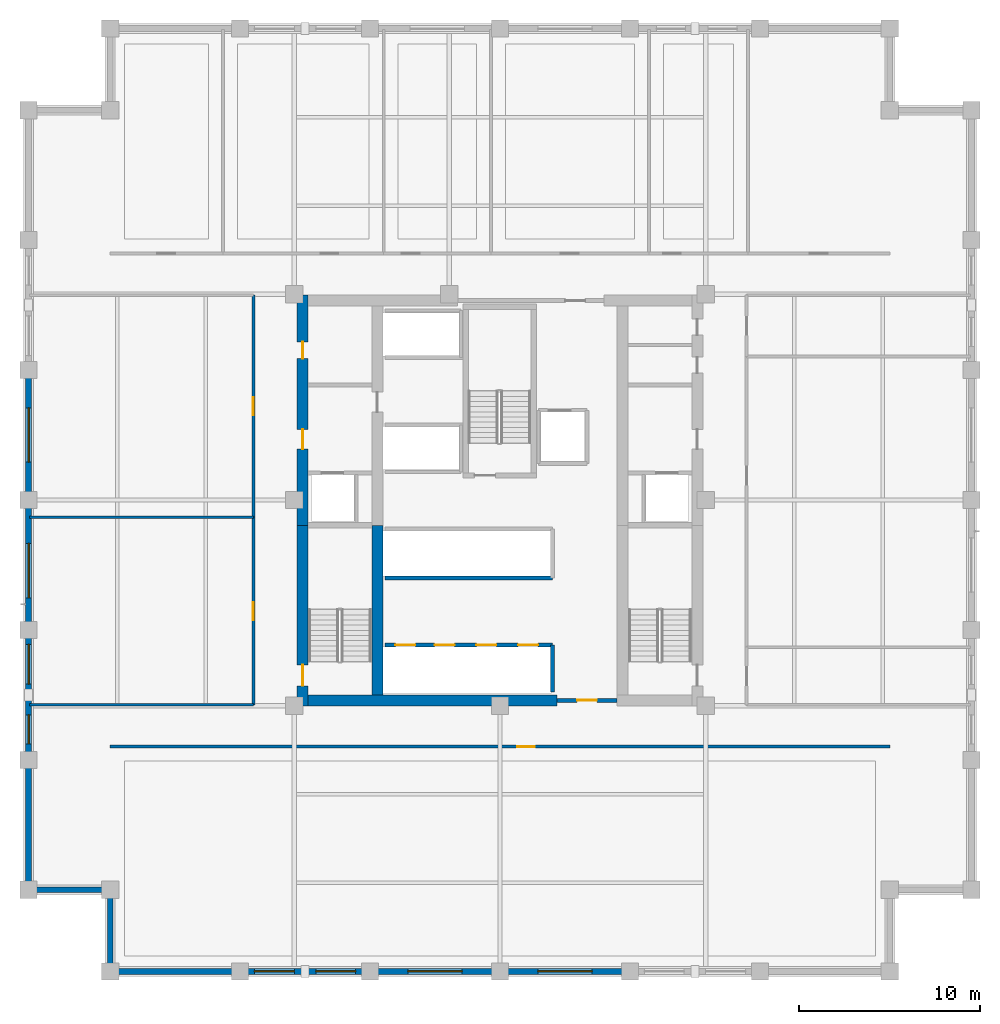
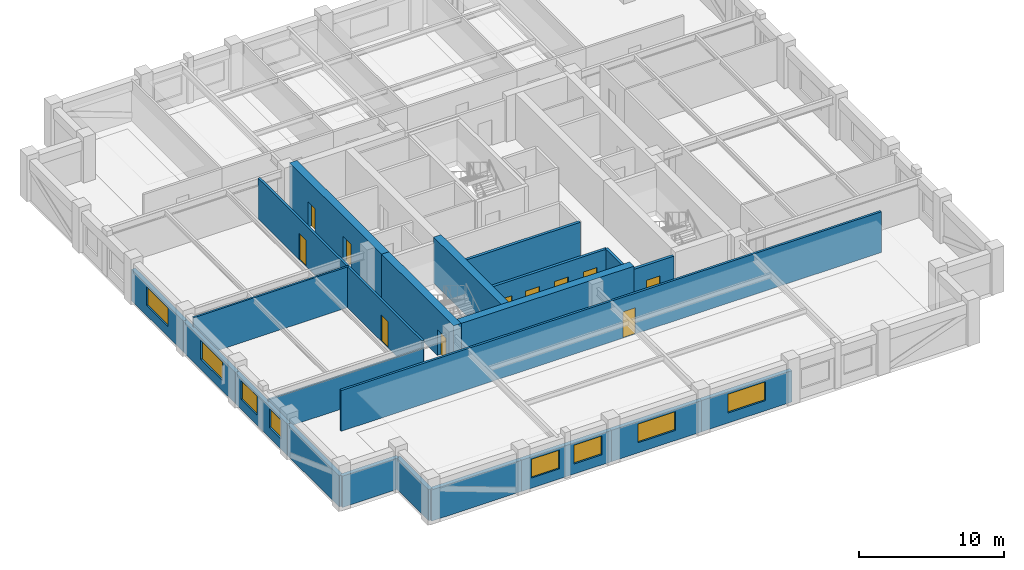
# One storey, part 5 of 12: 23 walls, 11 doors, 8 windows, 19 openings.
"""IFC4 building model written with IfcOpenShell, lengths in metres."""

from ifc_helpers import new_model, si_unit, direction, frame, frame_2d, origin, place, context, subcontext, project, spatial, rectangle, extrude, material, layer, layer_set, type_object, element, fill, save


model = new_model("IFC4")

# Units and contexts
model_context = context("Model", 3, precision=1e-05, world=origin(), true_north=direction((0.0, 1.0)))
body_context = subcontext(model_context, "Body", "Model", "MODEL_VIEW")
ifc_project = project(units=[si_unit("LENGTHUNIT", "METRE"), si_unit("AREAUNIT", "SQUARE_METRE"), si_unit("VOLUMEUNIT", "CUBIC_METRE"), si_unit("PLANEANGLEUNIT", "RADIAN"), si_unit("MASSUNIT", "GRAM", prefix="KILO")], contexts=[model_context])

# Site, building, storey
site_placement = place(None, origin())
site = spatial("IfcSite", under=ifc_project, at=site_placement, CompositionType="ELEMENT")
building_placement = place(site_placement, origin())
building = spatial("IfcBuilding", under=site, at=building_placement, Name="Nhamokura Convention Tower", CompositionType="ELEMENT")
storey_placement = place(building_placement, frame((0.0, 0.0, 110.60009765625)))
storey = spatial("IfcBuildingStorey", under=building, at=storey_placement, Name="L26", CompositionType="ELEMENT", Elevation=110.60009765625)

# Wall
ifc_material_1 = material(Name="Bronze-pigmented precast concrete C45/55", Category="concrete")
ifc_layer_1 = layer(ifc_material_1, 0.320068359375)
ifc_layer_set_1 = layer_set([ifc_layer_1], Name="BronzePrecastSpandrel_320")
wall_type_1 = type_object("IfcWallType", Name="BronzePrecastSpandrel_320", PredefinedType="USERDEFINED", material=ifc_layer_set_1)
wall_1_placement = place(storey_placement, frame((17.666748046875, 6.0, 0.0), z_axis=(0.0, 0.0, 1.0), x_axis=(-1.0, 0.0, 0.0)))
element("IfcWall", 1, at=wall_1_placement, inside=storey, type_object=wall_type_1, Name="L26 Braced-Bay Precast Wall SOUTH 0", ObjectType="SPANDREL_WALL", PredefinedType="USERDEFINED", context=body_context, shape_type="SweptSolid", body=[
    extrude(rectangle(XDim=7.166748046875, YDim=0.320068359375, at=frame_2d((3.58349609375, 0.0))), origin(), (0.0, 0.0, 1.0), 2.6298828125),
])

# Wall, openings, windows
wall_2_placement = place(storey_placement, frame((24.833251953125, 6.0, 0.0), z_axis=(0.0, 0.0, 1.0), x_axis=(-1.0, 0.0, 0.0)))
wall_2 = element("IfcWall", 2, at=wall_2_placement, inside=storey, type_object=wall_type_1, Name="L26 Masonry-Frame Wall SOUTH 1", ObjectType="SPANDREL_WALL", PredefinedType="USERDEFINED", context=body_context, shape_type="SweptSolid", body=[
    extrude(rectangle(XDim=7.16650390625, YDim=0.320068359375, at=frame_2d((3.583251953125, 0.0))), origin(), (0.0, 0.0, 1.0), 2.6298828125),
])
opening_1_placement = place(wall_2_placement, frame((0.791748046875, 0.0, 0.85009765625)))
opening_1 = element("IfcOpeningElement", 3, at=opening_1_placement, cuts=wall_2, Name="Opening W-06", PredefinedType="OPENING", context=body_context, shape_type="SweptSolid", body=[
    extrude(rectangle(XDim=2.199951171875, YDim=1.580078125, at=frame_2d((1.10009765625, 0.7900390625))), frame((0.0, 0.169921875, 0.0), z_axis=(0.0, -1.0, 0.0), x_axis=(1.0, 0.0, 0.0)), (0.0, 0.0, 1.0), 0.340087890625),
])
opening_2_placement = place(wall_2_placement, frame((4.175048828125, 0.0, 0.85009765625)))
opening_2 = element("IfcOpeningElement", 4, at=opening_2_placement, cuts=wall_2, Name="Opening W-06", PredefinedType="OPENING", context=body_context, shape_type="SweptSolid", body=[
    extrude(rectangle(XDim=2.199951171875, YDim=1.580078125, at=frame_2d((1.10009765625, 0.7900390625))), frame((0.0, 0.169921875, 0.0), z_axis=(0.0, -1.0, 0.0), x_axis=(1.0, 0.0, 0.0)), (0.0, 0.0, 1.0), 0.340087890625),
])
ifc_material_2 = material(Name="Solar-control bronze low-E double glass", Category="glass")
window_type_1 = type_object("IfcWindowType", Name="OfficeModuleWindow_Z2_2200", PartitioningType="SINGLE_PANEL", PredefinedType="WINDOW", material=ifc_material_2)
window_1_placement = place(opening_1_placement, origin())
window_1 = element("IfcWindow", 5, at=window_1_placement, inside=storey, type_object=window_type_1, Name="L26 Facade Window SOUTH 1-1", OverallHeight=1.580078125, OverallWidth=2.199951171875, PartitioningType="SINGLE_PANEL", PredefinedType="WINDOW", context=body_context, shape_type="SweptSolid", body=[
    extrude(rectangle(XDim=2.199951171875, YDim=1.580078125, at=frame_2d((1.10009765625, 0.7900390625))), frame((0.0, 0.030029296875, 0.0), z_axis=(0.0, -1.0, 0.0), x_axis=(1.0, 0.0, 0.0)), (0.0, 0.0, 1.0), 0.06005859375),
])
fill(opening_1, window_1)
window_2_placement = place(opening_2_placement, origin())
window_2 = element("IfcWindow", 6, at=window_2_placement, inside=storey, type_object=window_type_1, Name="L26 Facade Window SOUTH 1-2", OverallHeight=1.580078125, OverallWidth=2.199951171875, PartitioningType="SINGLE_PANEL", PredefinedType="WINDOW", context=body_context, shape_type="SweptSolid", body=[
    extrude(rectangle(XDim=2.199951171875, YDim=1.580078125, at=frame_2d((1.10009765625, 0.7900390625))), frame((0.0, 0.030029296875, 0.0), z_axis=(0.0, -1.0, 0.0), x_axis=(1.0, 0.0, 0.0)), (0.0, 0.0, 1.0), 0.06005859375),
])
fill(opening_2, window_2)

# Wall, opening, window
wall_3_placement = place(storey_placement, frame((32.0, 6.0, 0.0), z_axis=(0.0, 0.0, 1.0), x_axis=(-1.0, 0.0, 0.0)))
wall_3 = element("IfcWall", 7, at=wall_3_placement, inside=storey, type_object=wall_type_1, Name="L26 Masonry-Frame Wall SOUTH 2", ObjectType="SPANDREL_WALL", PredefinedType="USERDEFINED", context=body_context, shape_type="SweptSolid", body=[
    extrude(rectangle(XDim=7.166748046875, YDim=0.320068359375, at=frame_2d((3.58349609375, 0.0))), origin(), (0.0, 0.0, 1.0), 2.6298828125),
])
opening_3_placement = place(wall_3_placement, frame((2.083251953125, 0.0, 0.85009765625)))
opening_3 = element("IfcOpeningElement", 8, at=opening_3_placement, cuts=wall_3, Name="Opening W-05", PredefinedType="OPENING", context=body_context, shape_type="SweptSolid", body=[
    extrude(rectangle(XDim=3.0, YDim=1.580078125, at=frame_2d((1.5, 0.7900390625))), frame((0.0, 0.169921875, 0.0), z_axis=(0.0, -1.0, 0.0), x_axis=(1.0, 0.0, 0.0)), (0.0, 0.0, 1.0), 0.340087890625),
])
ifc_material_3 = material(Name="Solar-control bronze low-E double glass", Category="glass")
window_type_2 = type_object("IfcWindowType", Name="OfficeModuleWindow_Z2_3000", PartitioningType="DOUBLE_PANEL_VERTICAL", PredefinedType="WINDOW", material=ifc_material_3)
window_3_placement = place(opening_3_placement, origin())
window_3 = element("IfcWindow", 9, at=window_3_placement, inside=storey, type_object=window_type_2, Name="L26 Facade Window SOUTH 2", OverallHeight=1.580078125, OverallWidth=3.0, PartitioningType="SINGLE_PANEL", PredefinedType="WINDOW", context=body_context, shape_type="SweptSolid", body=[
    extrude(rectangle(XDim=3.0, YDim=1.580078125, at=frame_2d((1.5, 0.7900390625))), frame((0.0, 0.030029296875, 0.0), z_axis=(0.0, -1.0, 0.0), x_axis=(1.0, 0.0, 0.0)), (0.0, 0.0, 1.0), 0.06005859375),
])
fill(opening_3, window_3)

wall_4_placement = place(storey_placement, frame((39.166748046875, 6.0, 0.0), z_axis=(0.0, 0.0, 1.0), x_axis=(-1.0, 0.0, 0.0)))
wall_4 = element("IfcWall", 10, at=wall_4_placement, inside=storey, type_object=wall_type_1, Name="L26 Masonry-Frame Wall SOUTH 3", ObjectType="SPANDREL_WALL", PredefinedType="USERDEFINED", context=body_context, shape_type="SweptSolid", body=[
    extrude(rectangle(XDim=7.166748046875, YDim=0.320068359375, at=frame_2d((3.58349609375, 0.0))), origin(), (0.0, 0.0, 1.0), 2.6298828125),
])
opening_4_placement = place(wall_4_placement, frame((2.083251953125, 0.0, 0.85009765625)))
opening_4 = element("IfcOpeningElement", 11, at=opening_4_placement, cuts=wall_4, Name="Opening W-05", PredefinedType="OPENING", context=body_context, shape_type="SweptSolid", body=[
    extrude(rectangle(XDim=3.0, YDim=1.580078125, at=frame_2d((1.5, 0.7900390625))), frame((0.0, 0.169921875, 0.0), z_axis=(0.0, -1.0, 0.0), x_axis=(1.0, 0.0, 0.0)), (0.0, 0.0, 1.0), 0.340087890625),
])
window_4_placement = place(opening_4_placement, origin())
window_4 = element("IfcWindow", 12, at=window_4_placement, inside=storey, type_object=window_type_2, Name="L26 Facade Window SOUTH 3", OverallHeight=1.580078125, OverallWidth=3.0, PartitioningType="SINGLE_PANEL", PredefinedType="WINDOW", context=body_context, shape_type="SweptSolid", body=[
    extrude(rectangle(XDim=3.0, YDim=1.580078125, at=frame_2d((1.5, 0.7900390625))), frame((0.0, 0.030029296875, 0.0), z_axis=(0.0, -1.0, 0.0), x_axis=(1.0, 0.0, 0.0)), (0.0, 0.0, 1.0), 0.06005859375),
])
fill(opening_4, window_4)

# Wall
wall_5_placement = place(storey_placement, frame((6.0, 10.5, 0.0), z_axis=(0.0, 0.0, 1.0), x_axis=(0.0, 1.0, 0.0)))
element("IfcWall", 13, at=wall_5_placement, inside=storey, type_object=wall_type_1, Name="L26 Braced-Bay Precast Wall WEST 0", ObjectType="SPANDREL_WALL", PredefinedType="USERDEFINED", context=body_context, shape_type="SweptSolid", body=[
    extrude(rectangle(XDim=7.166748046875, YDim=0.320068359375, at=frame_2d((3.58349609375, 0.0))), origin(), (0.0, 0.0, 1.0), 2.6298828125),
])

# Wall, openings, windows
wall_6_placement = place(storey_placement, frame((6.0, 17.666748046875, 0.0), z_axis=(0.0, 0.0, 1.0), x_axis=(0.0, 1.0, 0.0)))
wall_6 = element("IfcWall", 14, at=wall_6_placement, inside=storey, type_object=wall_type_1, Name="L26 Masonry-Frame Wall WEST 1", ObjectType="SPANDREL_WALL", PredefinedType="USERDEFINED", context=body_context, shape_type="SweptSolid", body=[
    extrude(rectangle(XDim=7.16650390625, YDim=0.320068359375, at=frame_2d((3.583251953125, 0.0))), origin(), (0.0, 0.0, 1.0), 2.6298828125),
])
opening_5_placement = place(wall_6_placement, frame((0.879150390625, 0.0, 0.85009765625)))
opening_5 = element("IfcOpeningElement", 15, at=opening_5_placement, cuts=wall_6, Name="Opening W-11", PredefinedType="OPENING", context=body_context, shape_type="SweptSolid", body=[
    extrude(rectangle(XDim=1.60009765625, YDim=1.580078125, at=frame_2d((0.800048828125, 0.7900390625))), frame((0.0, 0.169921875, 0.0), z_axis=(0.0, -1.0, 0.0), x_axis=(1.0, 0.0, 0.0)), (0.0, 0.0, 1.0), 0.340087890625),
])
opening_6_placement = place(wall_6_placement, frame((4.175048828125, 0.0, 0.85009765625)))
opening_6 = element("IfcOpeningElement", 16, at=opening_6_placement, cuts=wall_6, Name="Opening W-06", PredefinedType="OPENING", context=body_context, shape_type="SweptSolid", body=[
    extrude(rectangle(XDim=2.199951171875, YDim=1.580078125, at=frame_2d((1.10009765625, 0.7900390625))), frame((0.0, 0.169921875, 0.0), z_axis=(0.0, -1.0, 0.0), x_axis=(1.0, 0.0, 0.0)), (0.0, 0.0, 1.0), 0.340087890625),
])
ifc_material_4 = material(Name="Solar-control bronze low-E double glass", Category="glass")
window_type_3 = type_object("IfcWindowType", Name="NotchCornerWindow_1600", PartitioningType="SINGLE_PANEL", PredefinedType="WINDOW", material=ifc_material_4)
window_5_placement = place(opening_5_placement, origin())
window_5 = element("IfcWindow", 17, at=window_5_placement, inside=storey, type_object=window_type_3, Name="L26 Facade Window WEST 1-1", OverallHeight=1.580078125, OverallWidth=1.60009765625, PartitioningType="SINGLE_PANEL", PredefinedType="WINDOW", context=body_context, shape_type="SweptSolid", body=[
    extrude(rectangle(XDim=1.60009765625, YDim=1.580078125, at=frame_2d((0.800048828125, 0.7900390625))), frame((0.0, 0.030029296875, 0.0), z_axis=(0.0, -1.0, 0.0), x_axis=(1.0, 0.0, 0.0)), (0.0, 0.0, 1.0), 0.06005859375),
])
fill(opening_5, window_5)
window_6_placement = place(opening_6_placement, origin())
window_6 = element("IfcWindow", 18, at=window_6_placement, inside=storey, type_object=window_type_1, Name="L26 Facade Window WEST 1-2", OverallHeight=1.580078125, OverallWidth=2.199951171875, PartitioningType="SINGLE_PANEL", PredefinedType="WINDOW", context=body_context, shape_type="SweptSolid", body=[
    extrude(rectangle(XDim=2.199951171875, YDim=1.580078125, at=frame_2d((1.10009765625, 0.7900390625))), frame((0.0, 0.030029296875, 0.0), z_axis=(0.0, -1.0, 0.0), x_axis=(1.0, 0.0, 0.0)), (0.0, 0.0, 1.0), 0.06005859375),
])
fill(opening_6, window_6)

# Wall, opening, window
wall_7_placement = place(storey_placement, frame((6.0, 24.833251953125, 0.0), z_axis=(0.0, 0.0, 1.0), x_axis=(0.0, 1.0, 0.0)))
wall_7 = element("IfcWall", 19, at=wall_7_placement, inside=storey, type_object=wall_type_1, Name="L26 Masonry-Frame Wall WEST 2", ObjectType="SPANDREL_WALL", PredefinedType="USERDEFINED", context=body_context, shape_type="SweptSolid", body=[
    extrude(rectangle(XDim=7.166748046875, YDim=0.320068359375, at=frame_2d((3.58349609375, 0.0))), origin(), (0.0, 0.0, 1.0), 2.6298828125),
])
opening_7_placement = place(wall_7_placement, frame((1.770751953125, 0.0, 0.85009765625)))
opening_7 = element("IfcOpeningElement", 20, at=opening_7_placement, cuts=wall_7, Name="Opening W-05", PredefinedType="OPENING", context=body_context, shape_type="SweptSolid", body=[
    extrude(rectangle(XDim=3.0, YDim=1.580078125, at=frame_2d((1.5, 0.7900390625))), frame((0.0, 0.169921875, 0.0), z_axis=(0.0, -1.0, 0.0), x_axis=(1.0, 0.0, 0.0)), (0.0, 0.0, 1.0), 0.340087890625),
])
window_7_placement = place(opening_7_placement, origin())
window_7 = element("IfcWindow", 21, at=window_7_placement, inside=storey, type_object=window_type_2, Name="L26 Facade Window WEST 2", OverallHeight=1.580078125, OverallWidth=3.0, PartitioningType="SINGLE_PANEL", PredefinedType="WINDOW", context=body_context, shape_type="SweptSolid", body=[
    extrude(rectangle(XDim=3.0, YDim=1.580078125, at=frame_2d((1.5, 0.7900390625))), frame((0.0, 0.030029296875, 0.0), z_axis=(0.0, -1.0, 0.0), x_axis=(1.0, 0.0, 0.0)), (0.0, 0.0, 1.0), 0.06005859375),
])
fill(opening_7, window_7)

wall_8_placement = place(storey_placement, frame((6.0, 32.0, 0.0), z_axis=(0.0, 0.0, 1.0), x_axis=(0.0, 1.0, 0.0)))
wall_8 = element("IfcWall", 22, at=wall_8_placement, inside=storey, type_object=wall_type_1, Name="L26 Masonry-Frame Wall WEST 3", ObjectType="SPANDREL_WALL", PredefinedType="USERDEFINED", context=body_context, shape_type="SweptSolid", body=[
    extrude(rectangle(XDim=7.166748046875, YDim=0.320068359375, at=frame_2d((3.58349609375, 0.0))), origin(), (0.0, 0.0, 1.0), 2.6298828125),
])
opening_8_placement = place(wall_8_placement, frame((2.083251953125, 0.0, 0.85009765625)))
opening_8 = element("IfcOpeningElement", 23, at=opening_8_placement, cuts=wall_8, Name="Opening W-05", PredefinedType="OPENING", context=body_context, shape_type="SweptSolid", body=[
    extrude(rectangle(XDim=3.0, YDim=1.580078125, at=frame_2d((1.5, 0.7900390625))), frame((0.0, 0.169921875, 0.0), z_axis=(0.0, -1.0, 0.0), x_axis=(1.0, 0.0, 0.0)), (0.0, 0.0, 1.0), 0.340087890625),
])
window_8_placement = place(opening_8_placement, origin())
window_8 = element("IfcWindow", 24, at=window_8_placement, inside=storey, type_object=window_type_2, Name="L26 Facade Window WEST 3", OverallHeight=1.580078125, OverallWidth=3.0, PartitioningType="SINGLE_PANEL", PredefinedType="WINDOW", context=body_context, shape_type="SweptSolid", body=[
    extrude(rectangle(XDim=3.0, YDim=1.580078125, at=frame_2d((1.5, 0.7900390625))), frame((0.0, 0.030029296875, 0.0), z_axis=(0.0, -1.0, 0.0), x_axis=(1.0, 0.0, 0.0)), (0.0, 0.0, 1.0), 0.06005859375),
])
fill(opening_8, window_8)

# Walls
for number, where, z_axis, x_axis, name in (
    (25, (10.5, 6.0, 0.0), (0.0, 0.0, 1.0), (0.0, 1.0, 0.0), "L26 Notched Corner Wall SW1"),
    (26, (10.5, 10.5, 0.0), (0.0, 0.0, 1.0), (-1.0, 0.0, 0.0), "L26 Notched Corner Wall SW2"),
):
    element("IfcWall", number, at=place(storey_placement, frame(where, z_axis=z_axis, x_axis=x_axis)), inside=storey, type_object=wall_type_1, Name=name, ObjectType="SPANDREL_WALL", PredefinedType="USERDEFINED", context=body_context, shape_type="SweptSolid", body=[
        extrude(rectangle(XDim=4.5, YDim=0.320068359375, at=frame_2d((2.25, 0.0))), origin(), (0.0, 0.0, 1.0), 2.6298828125),
    ])

# Wall, opening, door
ifc_material_5 = material(Name="Concrete C60/75", Category="concrete")
ifc_layer_2 = layer(ifc_material_5, 0.60009765625)
ifc_layer_set_2 = layer_set([ifc_layer_2], Name="CoreShearWall_600")
wall_type_2 = type_object("IfcWallType", Name="CoreShearWall_600", PredefinedType="SHEAR", material=ifc_layer_set_2)
wall_9_placement = place(storey_placement, frame((21.110107421875, 20.64990234375, 0.0), z_axis=(0.0, 0.0, 1.0), x_axis=(0.0, 1.0, 0.0)))
wall_9 = element("IfcWall", 27, at=wall_9_placement, inside=storey, type_object=wall_type_2, Name="L26 Core Shear Wall CW-WS", PredefinedType="SHEAR", context=body_context, shape_type="SweptSolid", body=[
    extrude(rectangle(XDim=9.9501953125, YDim=0.60009765625, at=frame_2d((4.97509765625, 0.0))), origin(), (0.0, 0.0, 1.0), 3.849853515625),
])
opening_9_placement = place(wall_9_placement, frame((1.10009765625, 0.0, 0.0)))
opening_9 = element("IfcOpeningElement", 28, at=opening_9_placement, cuts=wall_9, Name="Opening D-04", PredefinedType="OPENING", context=body_context, shape_type="SweptSolid", body=[
    extrude(rectangle(XDim=1.14990234375, YDim=2.14990234375, at=frame_2d((0.574951171875, 1.074951171875))), frame((0.0, 0.31005859375, 0.0), z_axis=(0.0, -1.0, 0.0), x_axis=(1.0, 0.0, 0.0)), (0.0, 0.0, 1.0), 0.6201171875),
])
ifc_material_6 = material(Name="Fire-rated steel door", Category="steel")
door_type_1 = type_object("IfcDoorType", Name="StairSmokeDoor_1150", OperationType="NOTDEFINED", PredefinedType="DOOR", material=ifc_material_6)
door_1_placement = place(opening_9_placement, origin())
door_1 = element("IfcDoor", 29, at=door_1_placement, inside=storey, type_object=door_type_1, Name="L26 Core Door INT-L26-D-ST01", OperationType="SINGLE_SWING_LEFT", OverallHeight=2.14990234375, OverallWidth=1.14990234375, PredefinedType="DOOR", context=body_context, shape_type="SweptSolid", body=[
    extrude(rectangle(XDim=1.14990234375, YDim=2.14990234375, at=frame_2d((0.574951171875, 1.074951171875))), frame((0.0, 0.02490234375, 0.0), z_axis=(0.0, -1.0, 0.0), x_axis=(1.0, 0.0, 0.0)), (0.0, 0.0, 1.0), 0.050048828125),
])
fill(opening_9, door_1)

# Wall, openings, doors
wall_10_placement = place(storey_placement, frame((21.110107421875, 30.60009765625, 0.0), z_axis=(0.0, 0.0, 1.0), x_axis=(0.0, 1.0, 0.0)))
wall_10 = element("IfcWall", 30, at=wall_10_placement, inside=storey, type_object=wall_type_2, Name="L26 Core Shear Wall CW-WN", PredefinedType="SHEAR", context=body_context, shape_type="SweptSolid", body=[
    extrude(rectangle(XDim=12.699951171875, YDim=0.60009765625, at=frame_2d((6.35009765625, 0.0))), origin(), (0.0, 0.0, 1.0), 3.849853515625),
])
opening_10_placement = place(wall_10_placement, frame((4.199951171875, 0.0, 0.0)))
opening_10 = element("IfcOpeningElement", 31, at=opening_10_placement, cuts=wall_10, Name="Opening D-05", PredefinedType="OPENING", context=body_context, shape_type="SweptSolid", body=[
    extrude(rectangle(XDim=1.10009765625, YDim=2.14990234375, at=frame_2d((0.550048828125, 1.074951171875))), frame((0.0, 0.31005859375, 0.0), z_axis=(0.0, -1.0, 0.0), x_axis=(1.0, 0.0, 0.0)), (0.0, 0.0, 1.0), 0.6201171875),
])
opening_11_placement = place(wall_10_placement, frame((9.199951171875, 0.0, 0.0)))
opening_11 = element("IfcOpeningElement", 32, at=opening_11_placement, cuts=wall_10, Name="Opening D-10", PredefinedType="OPENING", context=body_context, shape_type="SweptSolid", body=[
    extrude(rectangle(XDim=0.919921875, YDim=2.10009765625, at=frame_2d((0.4599609375, 1.050048828125))), frame((0.0, 0.31005859375, 0.0), z_axis=(0.0, -1.0, 0.0), x_axis=(1.0, 0.0, 0.0)), (0.0, 0.0, 1.0), 0.6201171875),
])
ifc_material_7 = material(Name="Solid oak hardwood", Category="wood")
door_type_2 = type_object("IfcDoorType", Name="AccessibleWCDoor_920", OperationType="NOTDEFINED", PredefinedType="DOOR", material=ifc_material_7)
door_2_placement = place(opening_11_placement, origin())
door_2 = element("IfcDoor", 33, at=door_2_placement, inside=storey, type_object=door_type_2, Name="L26 Core Door INT-L26-D-AWC", OperationType="SINGLE_SWING_LEFT", OverallHeight=2.10009765625, OverallWidth=0.919921875, PredefinedType="DOOR", context=body_context, shape_type="SweptSolid", body=[
    extrude(rectangle(XDim=0.919921875, YDim=2.10009765625, at=frame_2d((0.4599609375, 1.050048828125))), frame((0.0, 0.02490234375, 0.0), z_axis=(0.0, -1.0, 0.0), x_axis=(1.0, 0.0, 0.0)), (0.0, 0.0, 1.0), 0.050048828125),
])
fill(opening_11, door_2)
ifc_material_8 = material(Name="Fire-rated steel door", Category="steel")
door_type_3 = type_object("IfcDoorType", Name="FireLobbyDoor_1100", OperationType="NOTDEFINED", PredefinedType="DOOR", material=ifc_material_8)
door_3_placement = place(opening_10_placement, origin())
door_3 = element("IfcDoor", 34, at=door_3_placement, inside=storey, type_object=door_type_3, Name="L26 Core Door INT-L26-D-FFLW", OperationType="SINGLE_SWING_RIGHT", OverallHeight=2.14990234375, OverallWidth=1.10009765625, PredefinedType="DOOR", context=body_context, shape_type="SweptSolid", body=[
    extrude(rectangle(XDim=1.10009765625, YDim=2.14990234375, at=frame_2d((0.550048828125, 1.074951171875))), frame((0.0, 0.02490234375, 0.0), z_axis=(0.0, -1.0, 0.0), x_axis=(1.0, 0.0, 0.0)), (0.0, 0.0, 1.0), 0.050048828125),
])
fill(opening_10, door_3)

# Walls
wall_11_placement = place(storey_placement, frame((21.409912109375, 20.949951171875, 0.0), z_axis=(0.0, 0.0, 1.0), x_axis=(1.0, 0.0, 0.0)))
element("IfcWall", 35, at=wall_11_placement, inside=storey, type_object=wall_type_2, Name="L26 Core Shear Wall CW-S1", PredefinedType="SHEAR", context=body_context, shape_type="SweptSolid", body=[
    extrude(rectangle(XDim=13.739990234375, YDim=0.60009765625, at=frame_2d((6.8701171875, 0.0))), origin(), (0.0, 0.0, 1.0), 3.849853515625),
])
wall_12_placement = place(storey_placement, frame((25.239990234375, 21.25, 0.0), z_axis=(0.0, 0.0, 1.0), x_axis=(0.0, 1.0, 0.0)))
element("IfcWall", 36, at=wall_12_placement, inside=storey, type_object=wall_type_2, Name="L26 Core Shear Wall CW-IWS", PredefinedType="SHEAR", context=body_context, shape_type="SweptSolid", body=[
    extrude(rectangle(XDim=9.35009765625, YDim=0.60009765625, at=frame_2d((4.675048828125, 0.0))), origin(), (0.0, 0.0, 1.0), 3.849853515625),
])

# Wall, opening, door
ifc_material_9 = material(Name="Fire-rated gypsum and masonry partition", Category="masonry")
ifc_layer_3 = layer(ifc_material_9, 0.179931640625)
ifc_layer_set_3 = layer_set([ifc_layer_3], Name="CorridorRatedWall_180")
wall_type_3 = type_object("IfcWallType", Name="CorridorRatedWall_180", PredefinedType="STANDARD", material=ifc_layer_set_3)
wall_13_placement = place(storey_placement, frame((10.5, 18.39990234375, 0.0), z_axis=(0.0, 0.0, 1.0), x_axis=(1.0, 0.0, 0.0)))
wall_13 = element("IfcWall", 37, at=wall_13_placement, inside=storey, type_object=wall_type_3, Name="L26 Wall INT-L26-CW-S00", PredefinedType="STANDARD", context=body_context, shape_type="SweptSolid", body=[
    extrude(rectangle(XDim=43.0, YDim=0.179931640625, at=frame_2d((21.5, 0.0))), origin(), (0.0, 0.0, 1.0), 3.429931640625),
])
opening_12_placement = place(wall_13_placement, frame((22.449951171875, 0.0, 0.0)))
opening_12 = element("IfcOpeningElement", 38, at=opening_12_placement, cuts=wall_13, Name="Opening D-08", PredefinedType="OPENING", context=body_context, shape_type="SweptSolid", body=[
    extrude(rectangle(XDim=0.97998046875, YDim=2.199951171875, at=frame_2d((0.489990234375, 1.10009765625))), frame((0.0, 0.099853515625, 0.0), z_axis=(0.0, -1.0, 0.0), x_axis=(1.0, 0.0, 0.0)), (0.0, 0.0, 1.0), 0.199951171875),
])
ifc_material_10 = material(Name="Solid oak hardwood", Category="wood")
door_type_4 = type_object("IfcDoorType", Name="OfficeEntryDoor_980", OperationType="NOTDEFINED", PredefinedType="DOOR", material=ifc_material_10)
door_4_placement = place(opening_12_placement, origin())
door_4 = element("IfcDoor", 39, at=door_4_placement, inside=storey, type_object=door_type_4, Name="L26 Open Plan Office S01 Door", OperationType="SINGLE_SWING_LEFT", OverallHeight=2.199951171875, OverallWidth=0.97998046875, PredefinedType="DOOR", context=body_context, shape_type="SweptSolid", body=[
    extrude(rectangle(XDim=0.97998046875, YDim=2.199951171875, at=frame_2d((0.489990234375, 1.10009765625))), frame((0.0, 0.02490234375, 0.0), z_axis=(0.0, -1.0, 0.0), x_axis=(1.0, 0.0, 0.0)), (0.0, 0.0, 1.0), 0.050048828125),
])
fill(opening_12, door_4)

wall_14_placement = place(storey_placement, frame((18.39990234375, 20.699951171875, 0.0), z_axis=(0.0, 0.0, 1.0), x_axis=(0.0, 1.0, 0.0)))
wall_14 = element("IfcWall", 40, at=wall_14_placement, inside=storey, type_object=wall_type_3, Name="L26 Wall INT-L26-CW-W00", PredefinedType="STANDARD", context=body_context, shape_type="SweptSolid", body=[
    extrude(rectangle(XDim=10.35009765625, YDim=0.179931640625, at=frame_2d((5.175048828125, 0.0))), origin(), (0.0, 0.0, 1.0), 3.429931640625),
])
opening_13_placement = place(wall_14_placement, frame((4.675048828125, 0.0, 0.0)))
opening_13 = element("IfcOpeningElement", 41, at=opening_13_placement, cuts=wall_14, Name="Opening D-08", PredefinedType="OPENING", context=body_context, shape_type="SweptSolid", body=[
    extrude(rectangle(XDim=0.97998046875, YDim=2.199951171875, at=frame_2d((0.489990234375, 1.10009765625))), frame((0.0, 0.099853515625, 0.0), z_axis=(0.0, -1.0, 0.0), x_axis=(1.0, 0.0, 0.0)), (0.0, 0.0, 1.0), 0.199951171875),
])
door_5_placement = place(opening_13_placement, origin())
door_5 = element("IfcDoor", 42, at=door_5_placement, inside=storey, type_object=door_type_4, Name="L26 Boardroom W01 Door", OperationType="SINGLE_SWING_LEFT", OverallHeight=2.199951171875, OverallWidth=0.97998046875, PredefinedType="DOOR", context=body_context, shape_type="SweptSolid", body=[
    extrude(rectangle(XDim=0.97998046875, YDim=2.199951171875, at=frame_2d((0.489990234375, 1.10009765625))), frame((0.0, 0.02490234375, 0.0), z_axis=(0.0, -1.0, 0.0), x_axis=(1.0, 0.0, 0.0)), (0.0, 0.0, 1.0), 0.050048828125),
])
fill(opening_13, door_5)

wall_15_placement = place(storey_placement, frame((18.39990234375, 31.050048828125, 0.0), z_axis=(0.0, 0.0, 1.0), x_axis=(0.0, 1.0, 0.0)))
wall_15 = element("IfcWall", 43, at=wall_15_placement, inside=storey, type_object=wall_type_3, Name="L26 Wall INT-L26-CW-W01", PredefinedType="STANDARD", context=body_context, shape_type="SweptSolid", body=[
    extrude(rectangle(XDim=12.25, YDim=0.179931640625, at=frame_2d((6.125, 0.0))), origin(), (0.0, 0.0, 1.0), 3.429931640625),
])
opening_14_placement = place(wall_15_placement, frame((5.625, 0.0, 0.0)))
opening_14 = element("IfcOpeningElement", 44, at=opening_14_placement, cuts=wall_15, Name="Opening D-08", PredefinedType="OPENING", context=body_context, shape_type="SweptSolid", body=[
    extrude(rectangle(XDim=0.97998046875, YDim=2.199951171875, at=frame_2d((0.489990234375, 1.10009765625))), frame((0.0, 0.099853515625, 0.0), z_axis=(0.0, -1.0, 0.0), x_axis=(1.0, 0.0, 0.0)), (0.0, 0.0, 1.0), 0.199951171875),
])
door_6_placement = place(opening_14_placement, origin())
door_6 = element("IfcDoor", 45, at=door_6_placement, inside=storey, type_object=door_type_4, Name="L26 Private Office W02 Door", OperationType="SINGLE_SWING_RIGHT", OverallHeight=2.199951171875, OverallWidth=0.97998046875, PredefinedType="DOOR", context=body_context, shape_type="SweptSolid", body=[
    extrude(rectangle(XDim=0.97998046875, YDim=2.199951171875, at=frame_2d((0.489990234375, 1.10009765625))), frame((0.0, 0.02490234375, 0.0), z_axis=(0.0, -1.0, 0.0), x_axis=(1.0, 0.0, 0.0)), (0.0, 0.0, 1.0), 0.050048828125),
])
fill(opening_14, door_6)

ifc_material_11 = material(Name="Autoclaved concrete blockwork", Category="masonry")
ifc_layer_4 = layer(ifc_material_11, 0.219970703125)
ifc_layer_set_4 = layer_set([ifc_layer_4], Name="FireLobbyWall_220")
wall_type_4 = type_object("IfcWallType", Name="FireLobbyWall_220", PredefinedType="STANDARD", material=ifc_layer_set_4)
wall_16_placement = place(storey_placement, frame((35.14990234375, 20.949951171875, 0.0), z_axis=(0.0, 0.0, 1.0), x_axis=(1.0, 0.0, 0.0)))
wall_16 = element("IfcWall", 46, at=wall_16_placement, inside=storey, type_object=wall_type_4, Name="L26 Wall INT-L26-SPORT-S", PredefinedType="STANDARD", context=body_context, shape_type="SweptSolid", body=[
    extrude(rectangle(XDim=3.300048828125, YDim=0.219970703125, at=frame_2d((1.64990234375, 0.0))), origin(), (0.0, 0.0, 1.0), 3.429931640625),
])
opening_15_placement = place(wall_16_placement, frame((1.10009765625, 0.0, 0.0)))
opening_15 = element("IfcOpeningElement", 47, at=opening_15_placement, cuts=wall_16, Name="Opening D-05", PredefinedType="OPENING", context=body_context, shape_type="SweptSolid", body=[
    extrude(rectangle(XDim=1.10009765625, YDim=2.14990234375, at=frame_2d((0.550048828125, 1.074951171875))), frame((0.0, 0.119873046875, 0.0), z_axis=(0.0, -1.0, 0.0), x_axis=(1.0, 0.0, 0.0)), (0.0, 0.0, 1.0), 0.239990234375),
])
door_7_placement = place(opening_15_placement, origin())
door_7 = element("IfcDoor", 48, at=door_7_placement, inside=storey, type_object=door_type_3, Name="L26 South Core Lobby Portal Door", OperationType="SINGLE_SWING_LEFT", OverallHeight=2.14990234375, OverallWidth=1.10009765625, PredefinedType="DOOR", context=body_context, shape_type="SweptSolid", body=[
    extrude(rectangle(XDim=1.10009765625, YDim=2.14990234375, at=frame_2d((0.550048828125, 1.074951171875))), frame((0.0, 0.02490234375, 0.0), z_axis=(0.0, -1.0, 0.0), x_axis=(1.0, 0.0, 0.0)), (0.0, 0.0, 1.0), 0.050048828125),
])
fill(opening_15, door_7)

# Wall, openings, doors
wall_17_placement = place(storey_placement, frame((25.64990234375, 24.0, 0.0), z_axis=(0.0, 0.0, 1.0), x_axis=(1.0, 0.0, 0.0)))
wall_17 = element("IfcWall", 49, at=wall_17_placement, inside=storey, type_object=wall_type_4, Name="L26 Wall INT-L26-B1N", PredefinedType="STANDARD", context=body_context, shape_type="SweptSolid", body=[
    extrude(rectangle(XDim=9.25, YDim=0.219970703125, at=frame_2d((4.625, 0.0))), origin(), (0.0, 0.0, 1.0), 3.429931640625),
])
opening_16_placement = place(wall_17_placement, frame((0.580078125, 0.0, 0.0)))
opening_16 = element("IfcOpeningElement", 50, at=opening_16_placement, cuts=wall_17, Name="Opening LD-01", PredefinedType="OPENING", context=body_context, shape_type="SweptSolid", body=[
    extrude(rectangle(XDim=1.10009765625, YDim=2.14990234375, at=frame_2d((0.550048828125, 1.074951171875))), frame((0.0, 0.119873046875, 0.0), z_axis=(0.0, -1.0, 0.0), x_axis=(1.0, 0.0, 0.0)), (0.0, 0.0, 1.0), 0.239990234375),
])
opening_17_placement = place(wall_17_placement, frame((2.75, 0.0, 0.0)))
opening_17 = element("IfcOpeningElement", 51, at=opening_17_placement, cuts=wall_17, Name="Opening LD-01", PredefinedType="OPENING", context=body_context, shape_type="SweptSolid", body=[
    extrude(rectangle(XDim=1.10009765625, YDim=2.14990234375, at=frame_2d((0.550048828125, 1.074951171875))), frame((0.0, 0.119873046875, 0.0), z_axis=(0.0, -1.0, 0.0), x_axis=(1.0, 0.0, 0.0)), (0.0, 0.0, 1.0), 0.239990234375),
])
opening_18_placement = place(wall_17_placement, frame((5.050048828125, 0.0, 0.0)))
opening_18 = element("IfcOpeningElement", 52, at=opening_18_placement, cuts=wall_17, Name="Opening LD-01", PredefinedType="OPENING", context=body_context, shape_type="SweptSolid", body=[
    extrude(rectangle(XDim=1.10009765625, YDim=2.14990234375, at=frame_2d((0.550048828125, 1.074951171875))), frame((0.0, 0.119873046875, 0.0), z_axis=(0.0, -1.0, 0.0), x_axis=(1.0, 0.0, 0.0)), (0.0, 0.0, 1.0), 0.239990234375),
])
opening_19_placement = place(wall_17_placement, frame((7.35009765625, 0.0, 0.0)))
opening_19 = element("IfcOpeningElement", 53, at=opening_19_placement, cuts=wall_17, Name="Opening LD-01", PredefinedType="OPENING", context=body_context, shape_type="SweptSolid", body=[
    extrude(rectangle(XDim=1.10009765625, YDim=2.14990234375, at=frame_2d((0.550048828125, 1.074951171875))), frame((0.0, 0.119873046875, 0.0), z_axis=(0.0, -1.0, 0.0), x_axis=(1.0, 0.0, 0.0)), (0.0, 0.0, 1.0), 0.239990234375),
])
ifc_material_12 = material(Name="Anodised bronze stainless steel", Category="steel")
door_type_5 = type_object("IfcDoorType", Name="LiftLandingDoor_Passenger", OperationType="DOUBLE_DOOR_SLIDING", PredefinedType="DOOR", material=ifc_material_12)
door_8_placement = place(opening_16_placement, origin())
door_8 = element("IfcDoor", 54, at=door_8_placement, inside=storey, type_object=door_type_5, Name="L26 Lift LP-01 Landing Door", OperationType="DOUBLE_DOOR_SLIDING", OverallHeight=2.14990234375, OverallWidth=1.10009765625, PredefinedType="DOOR", context=body_context, shape_type="SweptSolid", body=[
    extrude(rectangle(XDim=1.10009765625, YDim=2.14990234375, at=frame_2d((0.550048828125, 1.074951171875))), frame((0.0, 0.02490234375, 0.0), z_axis=(0.0, -1.0, 0.0), x_axis=(1.0, 0.0, 0.0)), (0.0, 0.0, 1.0), 0.050048828125),
])
fill(opening_16, door_8)
door_9_placement = place(opening_17_placement, origin())
door_9 = element("IfcDoor", 55, at=door_9_placement, inside=storey, type_object=door_type_5, Name="L26 Lift LP-02 Landing Door", OperationType="DOUBLE_DOOR_SLIDING", OverallHeight=2.14990234375, OverallWidth=1.10009765625, PredefinedType="DOOR", context=body_context, shape_type="SweptSolid", body=[
    extrude(rectangle(XDim=1.10009765625, YDim=2.14990234375, at=frame_2d((0.550048828125, 1.074951171875))), frame((0.0, 0.02490234375, 0.0), z_axis=(0.0, -1.0, 0.0), x_axis=(1.0, 0.0, 0.0)), (0.0, 0.0, 1.0), 0.050048828125),
])
fill(opening_17, door_9)
door_10_placement = place(opening_18_placement, origin())
door_10 = element("IfcDoor", 56, at=door_10_placement, inside=storey, type_object=door_type_5, Name="L26 Lift LP-03 Landing Door", OperationType="DOUBLE_DOOR_SLIDING", OverallHeight=2.14990234375, OverallWidth=1.10009765625, PredefinedType="DOOR", context=body_context, shape_type="SweptSolid", body=[
    extrude(rectangle(XDim=1.10009765625, YDim=2.14990234375, at=frame_2d((0.550048828125, 1.074951171875))), frame((0.0, 0.02490234375, 0.0), z_axis=(0.0, -1.0, 0.0), x_axis=(1.0, 0.0, 0.0)), (0.0, 0.0, 1.0), 0.050048828125),
])
fill(opening_18, door_10)
door_11_placement = place(opening_19_placement, origin())
door_11 = element("IfcDoor", 57, at=door_11_placement, inside=storey, type_object=door_type_5, Name="L26 Lift LP-04 Landing Door", OperationType="DOUBLE_DOOR_SLIDING", OverallHeight=2.14990234375, OverallWidth=1.10009765625, PredefinedType="DOOR", context=body_context, shape_type="SweptSolid", body=[
    extrude(rectangle(XDim=1.10009765625, YDim=2.14990234375, at=frame_2d((0.550048828125, 1.074951171875))), frame((0.0, 0.02490234375, 0.0), z_axis=(0.0, -1.0, 0.0), x_axis=(1.0, 0.0, 0.0)), (0.0, 0.0, 1.0), 0.050048828125),
])
fill(opening_19, door_11)

# Walls
wall_18_placement = place(storey_placement, frame((34.89990234375, 21.39990234375, 0.0), z_axis=(0.0, 0.0, 1.0), x_axis=(0.0, 1.0, 0.0)))
element("IfcWall", 58, at=wall_18_placement, inside=storey, type_object=wall_type_4, Name="L26 Wall INT-L26-B1E", PredefinedType="STANDARD", context=body_context, shape_type="SweptSolid", body=[
    extrude(rectangle(XDim=2.60009765625, YDim=0.219970703125, at=frame_2d((1.300048828125, 0.0))), origin(), (0.0, 0.0, 1.0), 3.429931640625),
])
wall_19_placement = place(storey_placement, frame((25.64990234375, 27.699951171875, 0.0), z_axis=(0.0, 0.0, 1.0), x_axis=(1.0, 0.0, 0.0)))
element("IfcWall", 59, at=wall_19_placement, inside=storey, type_object=wall_type_4, Name="L26 Wall INT-L26-B2S", PredefinedType="STANDARD", context=body_context, shape_type="SweptSolid", body=[
    extrude(rectangle(XDim=9.25, YDim=0.219970703125, at=frame_2d((4.625, 0.0))), origin(), (0.0, 0.0, 1.0), 3.429931640625),
])
ifc_material_13 = material(Name="Acoustic gypsum stud partition", Category="masonry")
ifc_layer_5 = layer(ifc_material_13, 0.14990234375)
ifc_layer_set_5 = layer_set([ifc_layer_5], Name="InteriorPartition_150")
wall_type_5 = type_object("IfcWallType", Name="InteriorPartition_150", PredefinedType="STANDARD", material=ifc_layer_set_5)
wall_20_placement = place(storey_placement, frame((6.06005859375, 20.699951171875, 0.0), z_axis=(0.0, 0.0, 1.0), x_axis=(1.0, 0.0, 0.0)))
element("IfcWall", 60, at=wall_20_placement, inside=storey, type_object=wall_type_5, Name="L26 Wall INT-L26-RWB-W", PredefinedType="STANDARD", context=body_context, shape_type="SweptSolid", body=[
    extrude(rectangle(XDim=12.33984375, YDim=0.14990234375, at=frame_2d((6.169921875, 0.0))), origin(), (0.0, 0.0, 1.0), 2.809814453125),
])
wall_21_placement = place(storey_placement, frame((6.06005859375, 31.050048828125, 0.0), z_axis=(0.0, 0.0, 1.0), x_axis=(1.0, 0.0, 0.0)))
element("IfcWall", 61, at=wall_21_placement, inside=storey, type_object=wall_type_5, Name="L26 Wall INT-L26-RW-W01", PredefinedType="STANDARD", context=body_context, shape_type="SweptSolid", body=[
    extrude(rectangle(XDim=12.33984375, YDim=0.14990234375, at=frame_2d((6.169921875, 0.0))), origin(), (0.0, 0.0, 1.0), 3.429931640625),
])

save(model, "model.ifc")
